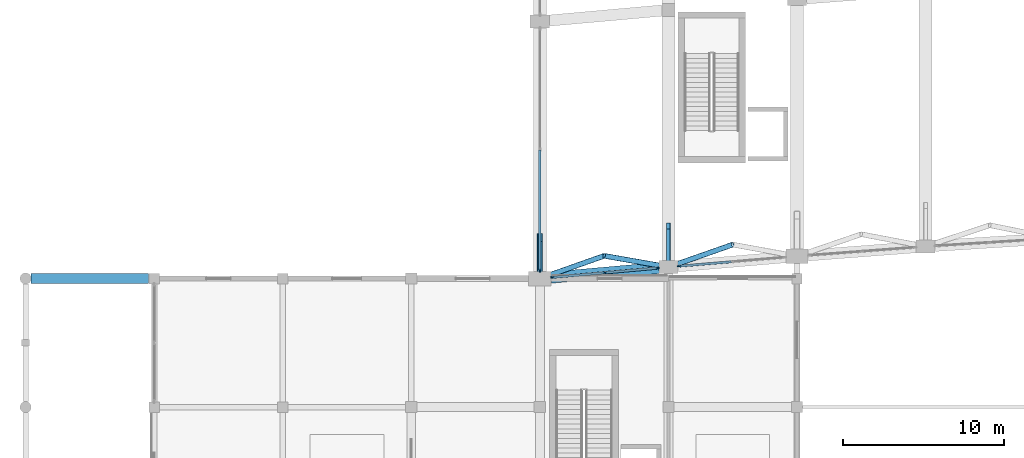
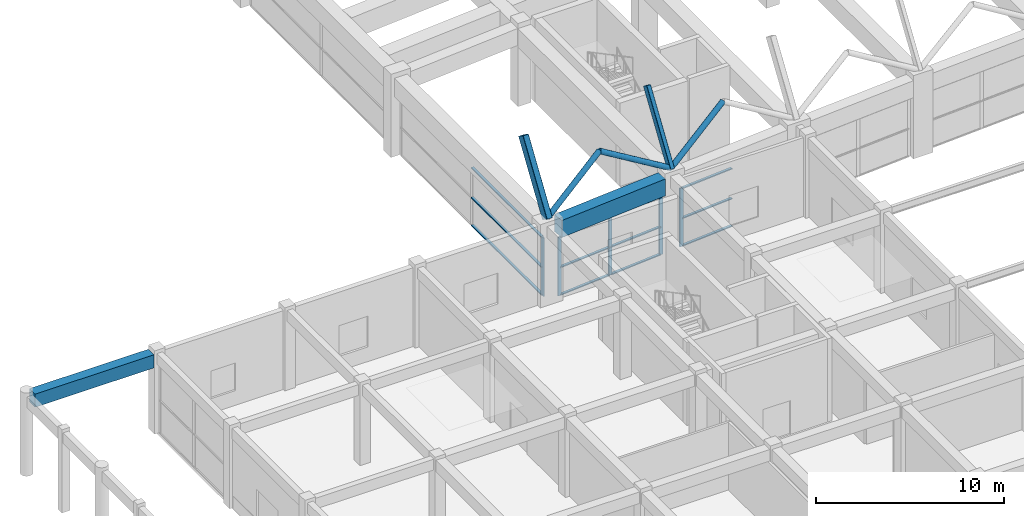
# One storey, part 20 of 69: 20 members, 4 beams, 3 elements without a shape of their own.
"""IFC4 building model written with IfcOpenShell, lengths in metres."""

from ifc_helpers import new_model, si_unit, direction, frame, origin, origin_2d, place, context, subcontext, project, spatial, rectangle, hollow_rectangle, hollow_circle, extrude, material, material_profile, profile_set, type_object, element, aggregate, save


model = new_model("IFC4")

# Units and contexts
model_context = context("Model", 3, precision=1e-05, world=origin(), true_north=direction((0.0, 1.0)))
body_context = subcontext(model_context, "Body", "Model", "MODEL_VIEW")
ifc_project = project(units=[si_unit("LENGTHUNIT", "METRE"), si_unit("AREAUNIT", "SQUARE_METRE"), si_unit("VOLUMEUNIT", "CUBIC_METRE"), si_unit("PLANEANGLEUNIT", "RADIAN"), si_unit("MASSUNIT", "GRAM", prefix="KILO")], contexts=[model_context])

# Site, building, storey
site_placement = place(None, origin())
site = spatial("IfcSite", under=ifc_project, at=site_placement, CompositionType="ELEMENT")
building_placement = place(site_placement, origin())
building = spatial("IfcBuilding", under=site, at=building_placement, Name="Kenh Van Central Station", CompositionType="ELEMENT")
storey_placement = place(building_placement, frame((0.0, 0.0, 5.39990234375)))
storey = spatial("IfcBuildingStorey", under=building, at=storey_placement, Name="L01", CompositionType="ELEMENT", Elevation=5.39990234375)

# Beams
ifc_material_1 = material(Name="Concrete C35/45", Category="concrete")
ifc_material_profile_1 = material_profile(ifc_material_1, rectangle(XDim=0.60009765625, YDim=0.85009765625, at=origin_2d()), Name="RC 600x850")
ifc_profile_set_1 = profile_set([ifc_material_profile_1], Name="Concrete C35/45")
beam_type_1 = type_object("IfcBeamType", Name="BM-RC-600x850", PredefinedType="BEAM", material=ifc_profile_set_1)
beam_1_placement = place(storey_placement, frame((0.35009765625, 64.0, 4.72021484375), z_axis=(1.0, 0.0, 0.0), x_axis=(0.0, 1.0, 0.0)))
element("IfcBeam", 1, at=beam_1_placement, inside=storey, type_object=beam_type_1, Name="L01 west colonnade north gable tie girder", PredefinedType="BEAM", context=body_context, shape_type="SweptSolid", body=[
    extrude(rectangle(XDim=0.60009765625, YDim=0.85009765625, at=origin_2d()), origin(), (0.0, 0.0, 1.0), 7.2998046875),
])
ifc_material_2 = material(Name="Concrete C40/50", Category="concrete")
ifc_material_profile_2 = material_profile(ifc_material_2, rectangle(XDim=0.699951171875, YDim=1.10009765625, at=origin_2d()), Name="RC 700x1100")
ifc_profile_set_2 = profile_set([ifc_material_profile_2], Name="Concrete C40/50")
beam_type_2 = type_object("IfcBeamType", Name="BM-RC-700x1100", PredefinedType="BEAM", material=ifc_profile_set_2)
beam_2_placement = place(storey_placement, frame((32.687255859375, 64.061279296875, 4.530029296875), z_axis=(0.996064770489, 0.088628285503, 0.0), x_axis=(-0.088628285503, 0.996064770489, 0.0)))
element("IfcBeam", 2, at=beam_2_placement, inside=storey, type_object=beam_type_2, Name="L01 viaduct girder 1381", PredefinedType="BEAM", context=body_context, shape_type="SweptSolid", body=[
    extrude(rectangle(XDim=0.699951171875, YDim=1.10009765625, at=origin_2d()), origin(), (0.0, 0.0, 1.0), 6.751708984375),
])
ifc_material_3 = material(Name="White fluoropolymer structural steel S355", Category="steel")
ifc_material_profile_3 = material_profile(ifc_material_3, hollow_rectangle(XDim=0.35009765625, YDim=0.60009765625, WallThickness=0.01611328125, InnerFilletRadius=0.01611328125, OuterFilletRadius=0.031982421875, at=origin_2d()), Name="RHS 600x350x16")
ifc_profile_set_3 = profile_set([ifc_material_profile_3], Name="White fluoropolymer structural steel S355")
beam_type_3 = type_object("IfcBeamType", Name="BM-VAULT-ARCH600", PredefinedType="BEAM", material=ifc_profile_set_3)
beam_3_placement = place(storey_placement, frame((32.0, 64.0, 5.280029296875), z_axis=(0.0, 0.549413802018, 0.835550401922), x_axis=(-1.0, 0.0, 0.0)))
element("IfcBeam", 3, at=beam_3_placement, inside=storey, type_object=beam_type_3, Name="Vault transverse arch 001", PredefinedType="BEAM", context=body_context, shape_type="SweptSolid", body=[
    extrude(hollow_rectangle(XDim=0.35009765625, YDim=0.60009765625, WallThickness=0.01611328125, InnerFilletRadius=0.01611328125, OuterFilletRadius=0.031982421875, at=origin_2d()), origin(), (0.0, 0.0, 1.0), 4.645751953125),
])
ifc_material_profile_4 = material_profile(ifc_material_3, hollow_rectangle(XDim=0.25, YDim=0.449951171875, WallThickness=0.012451171875, InnerFilletRadius=0.012451171875, OuterFilletRadius=0.02490234375, at=origin_2d()), Name="RHS 450x250x12.5")
ifc_profile_set_4 = profile_set([ifc_material_profile_4], Name="White fluoropolymer structural steel S355")
beam_type_4 = type_object("IfcBeamType", Name="BM-VAULT-SUB450", PredefinedType="BEAM", material=ifc_profile_set_4)
beam_4_placement = place(storey_placement, frame((40.0, 64.712158203125, 5.280029296875), z_axis=(0.0, 0.5493771127, 0.835574525725), x_axis=(-1.0, 0.0, 0.0)))
element("IfcBeam", 4, at=beam_4_placement, inside=storey, type_object=beam_type_4, Name="Vault transverse arch 013", PredefinedType="BEAM", context=body_context, shape_type="SweptSolid", body=[
    extrude(hollow_rectangle(XDim=0.25, YDim=0.449951171875, WallThickness=0.012451171875, InnerFilletRadius=0.012451171875, OuterFilletRadius=0.02490234375, at=origin_2d()), origin(), (0.0, 0.0, 1.0), 4.645751953125),
])

# Curtain wall, member
ifc_material_4 = material(Name="Champagne anodised aluminium", Category="aluminium")
curtain_wall_type = type_object("IfcCurtainWallType", Name="CW-HALL-A", PredefinedType="NOTDEFINED", material=ifc_material_4)
curtain_wall_1_placement = place(storey_placement, origin())
curtain_wall_1 = element("IfcCurtainWall", 5, at=curtain_wall_1_placement, inside=storey, type_object=curtain_wall_type, Name="L01 curtain wall 097", PredefinedType="NOTDEFINED")
ifc_material_profile_5 = material_profile(ifc_material_4, rectangle(XDim=0.08203125, YDim=0.22509765625, at=origin_2d()), Name="AL 82x225")
ifc_profile_set_5 = profile_set([ifc_material_profile_5], Name="Champagne anodised aluminium")
member_type_1 = type_object("IfcMemberType", Name="CWM-70x180", PredefinedType="MULLION", material=ifc_profile_set_5)
member_1_placement = place(storey_placement, frame((32.0, 64.490966796875, 0.0), z_axis=(0.0, 0.0, 1.0), x_axis=(-1.0, 0.0, 0.0)))
member_1 = element("IfcMember", 6, at=member_1_placement, type_object=member_type_1, Name="CW-01 mullion 1", PredefinedType="MULLION", context=body_context, shape_type="SweptSolid", body=[
    extrude(rectangle(XDim=0.08203125, YDim=0.22509765625, at=origin_2d()), origin(), (0.0, 0.0, 1.0), 3.800048828125),
])

# Curtain wall, members
curtain_wall_2_placement = place(storey_placement, origin())
curtain_wall_2 = element("IfcCurtainWall", 7, at=curtain_wall_2_placement, inside=storey, type_object=curtain_wall_type, Name="L01 curtain wall 076", PredefinedType="NOTDEFINED")
ifc_material_profile_6 = material_profile(ifc_material_4, rectangle(XDim=0.080078125, YDim=0.219970703125, at=origin_2d()), Name="AL 80x220")
ifc_profile_set_6 = profile_set([ifc_material_profile_6], Name="Champagne anodised aluminium")
member_type_2 = type_object("IfcMemberType", Name="CWM-80x220", PredefinedType="MULLION", material=ifc_profile_set_6)
member_2_placement = place(storey_placement, frame((32.77392578125, 64.06884765625, 0.0), z_axis=(0.0, 0.0, 1.0), x_axis=(-0.088659604434, 0.996061983283, 0.0)))
member_2 = element("IfcMember", 8, at=member_2_placement, type_object=member_type_2, Name="CW-01 mullion 1", PredefinedType="MULLION", context=body_context, shape_type="SweptSolid", body=[
    extrude(rectangle(XDim=0.080078125, YDim=0.219970703125, at=origin_2d()), origin(), (0.0, 0.0, 1.0), 3.800048828125),
])
member_3_placement = place(storey_placement, frame((36.0517578125, 64.360595703125, 0.0), z_axis=(0.0, 0.0, 1.0), x_axis=(-0.088659604434, 0.996061983283, 0.0)))
member_3 = element("IfcMember", 9, at=member_3_placement, type_object=member_type_2, Name="CW-01 mullion 2", PredefinedType="MULLION", context=body_context, shape_type="SweptSolid", body=[
    extrude(rectangle(XDim=0.080078125, YDim=0.219970703125, at=origin_2d()), origin(), (0.0, 0.0, 1.0), 3.800048828125),
])
member_4_placement = place(storey_placement, frame((39.32958984375, 64.65234375, 0.0), z_axis=(0.0, 0.0, 1.0), x_axis=(-0.088659604434, 0.996061983283, 0.0)))
member_4 = element("IfcMember", 10, at=member_4_placement, type_object=member_type_2, Name="CW-01 mullion 3", PredefinedType="MULLION", context=body_context, shape_type="SweptSolid", body=[
    extrude(rectangle(XDim=0.080078125, YDim=0.219970703125, at=origin_2d()), origin(), (0.0, 0.0, 1.0), 3.800048828125),
])

# Curtain wall, member
curtain_wall_3_placement = place(storey_placement, origin())
curtain_wall_3 = element("IfcCurtainWall", 11, at=curtain_wall_3_placement, inside=storey, type_object=curtain_wall_type, Name="L01 curtain wall 077", PredefinedType="NOTDEFINED")
member_5_placement = place(storey_placement, frame((40.669189453125, 64.7685546875, 0.0), z_axis=(0.0, 0.0, 1.0), x_axis=(-0.084244265333, 0.996445133341, 0.0)))
member_5 = element("IfcMember", 12, at=member_5_placement, type_object=member_type_2, Name="CW-01 mullion 1", PredefinedType="MULLION", context=body_context, shape_type="SweptSolid", body=[
    extrude(rectangle(XDim=0.080078125, YDim=0.219970703125, at=origin_2d()), origin(), (0.0, 0.0, 1.0), 3.800048828125),
])

# Member
ifc_material_profile_7 = material_profile(ifc_material_4, rectangle(XDim=0.14990234375, YDim=0.070068359375, at=origin_2d()), Name="AL 150x70")
ifc_profile_set_7 = profile_set([ifc_material_profile_7], Name="Champagne anodised aluminium")
member_type_3 = type_object("IfcMemberType", Name="CWT-150x70", PredefinedType="USERDEFINED", material=ifc_profile_set_7)
member_6_placement = place(storey_placement, frame((32.81396484375, 64.072509765625, 0.03515625), z_axis=(0.996061604966, 0.088663854599, 0.0), x_axis=(-0.088663854599, 0.996061604966, 0.0)))
member_6 = element("IfcMember", 13, at=member_6_placement, type_object=member_type_3, Name="CW-01 transom 1.1", ObjectType="TRANSOM", PredefinedType="USERDEFINED", context=body_context, shape_type="SweptSolid", body=[
    extrude(rectangle(XDim=0.14990234375, YDim=0.070068359375, at=origin_2d()), origin(), (0.0, 0.0, 1.0), 3.210693359375),
])

member_7_placement = place(storey_placement, frame((32.81396484375, 64.072509765625, 1.82421875), z_axis=(0.996061604966, 0.088663854599, 0.0), x_axis=(-0.088663854599, 0.996061604966, 0.0)))
member_7 = element("IfcMember", 14, at=member_7_placement, type_object=member_type_3, Name="CW-01 transom 1.2", ObjectType="TRANSOM", PredefinedType="USERDEFINED", context=body_context, shape_type="SweptSolid", body=[
    extrude(rectangle(XDim=0.14990234375, YDim=0.070068359375, at=origin_2d()), origin(), (0.0, 0.0, 1.0), 3.210693359375),
])

member_8_placement = place(storey_placement, frame((32.81396484375, 64.072509765625, 3.76513671875), z_axis=(0.996061604966, 0.088663854599, 0.0), x_axis=(-0.088663854599, 0.996061604966, 0.0)))
member_8 = element("IfcMember", 15, at=member_8_placement, type_object=member_type_3, Name="CW-01 transom 1.3", ObjectType="TRANSOM", PredefinedType="USERDEFINED", context=body_context, shape_type="SweptSolid", body=[
    extrude(rectangle(XDim=0.14990234375, YDim=0.070068359375, at=origin_2d()), origin(), (0.0, 0.0, 1.0), 3.210693359375),
])

member_9_placement = place(storey_placement, frame((36.091552734375, 64.3642578125, 0.03515625), z_axis=(0.996062202678, 0.088657139567, 0.0), x_axis=(-0.088657139567, 0.996062202678, 0.0)))
member_9 = element("IfcMember", 16, at=member_9_placement, type_object=member_type_3, Name="CW-01 transom 2.1", ObjectType="TRANSOM", PredefinedType="USERDEFINED", context=body_context, shape_type="SweptSolid", body=[
    extrude(rectangle(XDim=0.14990234375, YDim=0.070068359375, at=origin_2d()), origin(), (0.0, 0.0, 1.0), 3.2109375),
])

member_10_placement = place(storey_placement, frame((36.091552734375, 64.3642578125, 1.82421875), z_axis=(0.996062202678, 0.088657139567, 0.0), x_axis=(-0.088657139567, 0.996062202678, 0.0)))
member_10 = element("IfcMember", 17, at=member_10_placement, type_object=member_type_3, Name="CW-01 transom 2.2", ObjectType="TRANSOM", PredefinedType="USERDEFINED", context=body_context, shape_type="SweptSolid", body=[
    extrude(rectangle(XDim=0.14990234375, YDim=0.070068359375, at=origin_2d()), origin(), (0.0, 0.0, 1.0), 3.2109375),
])

member_11_placement = place(storey_placement, frame((36.091552734375, 64.3642578125, 3.76513671875), z_axis=(0.996062202678, 0.088657139567, 0.0), x_axis=(-0.088657139567, 0.996062202678, 0.0)))
member_11 = element("IfcMember", 18, at=member_11_placement, type_object=member_type_3, Name="CW-01 transom 2.3", ObjectType="TRANSOM", PredefinedType="USERDEFINED", context=body_context, shape_type="SweptSolid", body=[
    extrude(rectangle(XDim=0.14990234375, YDim=0.070068359375, at=origin_2d()), origin(), (0.0, 0.0, 1.0), 3.2109375),
])

aggregate(curtain_wall_2, [member_2, member_3, member_4, member_6, member_7, member_8, member_9, member_10, member_11])

member_12_placement = place(storey_placement, frame((40.708984375, 64.77197265625, 0.03515625), z_axis=(0.996444876406, 0.084247304316, 0.0), x_axis=(-0.084247304316, 0.996444876406, 0.0)))
member_12 = element("IfcMember", 19, at=member_12_placement, type_object=member_type_3, Name="CW-01 transom 1.1", ObjectType="TRANSOM", PredefinedType="USERDEFINED", context=body_context, shape_type="SweptSolid", body=[
    extrude(rectangle(XDim=0.14990234375, YDim=0.070068359375, at=origin_2d()), origin(), (0.0, 0.0, 1.0), 3.2109375),
])

member_13_placement = place(storey_placement, frame((40.708984375, 64.77197265625, 1.82421875), z_axis=(0.996444876406, 0.084247304316, 0.0), x_axis=(-0.084247304316, 0.996444876406, 0.0)))
member_13 = element("IfcMember", 20, at=member_13_placement, type_object=member_type_3, Name="CW-01 transom 1.2", ObjectType="TRANSOM", PredefinedType="USERDEFINED", context=body_context, shape_type="SweptSolid", body=[
    extrude(rectangle(XDim=0.14990234375, YDim=0.070068359375, at=origin_2d()), origin(), (0.0, 0.0, 1.0), 3.2109375),
])

member_14_placement = place(storey_placement, frame((40.708984375, 64.77197265625, 3.76513671875), z_axis=(0.996444876406, 0.084247304316, 0.0), x_axis=(-0.084247304316, 0.996444876406, 0.0)))
member_14 = element("IfcMember", 21, at=member_14_placement, type_object=member_type_3, Name="CW-01 transom 1.3", ObjectType="TRANSOM", PredefinedType="USERDEFINED", context=body_context, shape_type="SweptSolid", body=[
    extrude(rectangle(XDim=0.14990234375, YDim=0.070068359375, at=origin_2d()), origin(), (0.0, 0.0, 1.0), 3.2109375),
])

aggregate(curtain_wall_3, [member_5, member_12, member_13, member_14])

member_15_placement = place(storey_placement, frame((32.0, 64.531982421875, 0.03515625), z_axis=(0.0, 1.0, 0.0), x_axis=(-1.0, 0.0, 0.0)))
member_15 = element("IfcMember", 22, at=member_15_placement, type_object=member_type_3, Name="CW-01 transom 1.1", ObjectType="TRANSOM", PredefinedType="USERDEFINED", context=body_context, shape_type="SweptSolid", body=[
    extrude(rectangle(XDim=0.14990234375, YDim=0.070068359375, at=origin_2d()), origin(), (0.0, 0.0, 1.0), 7.451904296875),
])

member_16_placement = place(storey_placement, frame((32.0, 64.531982421875, 1.82421875), z_axis=(0.0, 1.0, 0.0), x_axis=(-1.0, 0.0, 0.0)))
member_16 = element("IfcMember", 23, at=member_16_placement, type_object=member_type_3, Name="CW-01 transom 1.2", ObjectType="TRANSOM", PredefinedType="USERDEFINED", context=body_context, shape_type="SweptSolid", body=[
    extrude(rectangle(XDim=0.14990234375, YDim=0.070068359375, at=origin_2d()), origin(), (0.0, 0.0, 1.0), 7.451904296875),
])

member_17_placement = place(storey_placement, frame((32.0, 64.531982421875, 3.76513671875), z_axis=(0.0, 1.0, 0.0), x_axis=(-1.0, 0.0, 0.0)))
member_17 = element("IfcMember", 24, at=member_17_placement, type_object=member_type_3, Name="CW-01 transom 1.3", ObjectType="TRANSOM", PredefinedType="USERDEFINED", context=body_context, shape_type="SweptSolid", body=[
    extrude(rectangle(XDim=0.14990234375, YDim=0.070068359375, at=origin_2d()), origin(), (0.0, 0.0, 1.0), 7.451904296875),
])

aggregate(curtain_wall_1, [member_1, member_15, member_16, member_17])

# Members
ifc_material_profile_8 = material_profile(ifc_material_3, hollow_circle(Radius=0.161865234375, WallThickness=0.010009765625, at=origin_2d()), Name="CHS 323.9x10")
ifc_profile_set_8 = profile_set([ifc_material_profile_8], Name="White fluoropolymer structural steel S355")
member_type_4 = type_object("IfcMemberType", Name="MEM-VAULT-CHD324", PredefinedType="CHORD", material=ifc_profile_set_8)
member_18_placement = place(storey_placement, frame((32.0, 64.0, 5.340087890625), z_axis=(0.84588663029, 0.298982511963, 0.441684577767), x_axis=(-0.333250529264, 0.942838313151, 0.0)))
element("IfcMember", 25, at=member_18_placement, inside=storey, type_object=member_type_4, Name="Vault diamond grid member 0001", PredefinedType="CHORD", context=body_context, shape_type="SweptSolid", body=[
    extrude(hollow_circle(Radius=0.161865234375, WallThickness=0.010009765625, at=origin_2d()), origin(), (0.0, 0.0, 1.0), 4.728759765625),
])
member_19_placement = place(storey_placement, frame((36.0, 65.413818359375, 7.4287109375), z_axis=(0.875907604648, -0.153647366684, -0.4573602025), x_axis=(0.172776967653, 0.984960973566, 0.0)))
element("IfcMember", 26, at=member_19_placement, inside=storey, type_object=member_type_4, Name="Vault diamond grid member 0026", PredefinedType="CHORD", context=body_context, shape_type="SweptSolid", body=[
    extrude(hollow_circle(Radius=0.161865234375, WallThickness=0.010009765625, at=origin_2d()), origin(), (0.0, 0.0, 1.0), 4.566650390625),
])
member_20_placement = place(storey_placement, frame((40.0, 64.712158203125, 5.340087890625), z_axis=(0.846602273337, 0.296393471671, 0.442058254907), x_axis=(-0.330432535603, 0.94382961355, 0.0)))
element("IfcMember", 27, at=member_20_placement, inside=storey, type_object=member_type_4, Name="Vault diamond grid member 0049", PredefinedType="CHORD", context=body_context, shape_type="SweptSolid", body=[
    extrude(hollow_circle(Radius=0.161865234375, WallThickness=0.010009765625, at=origin_2d()), origin(), (0.0, 0.0, 1.0), 4.724853515625),
])

save(model, "model.ifc")
